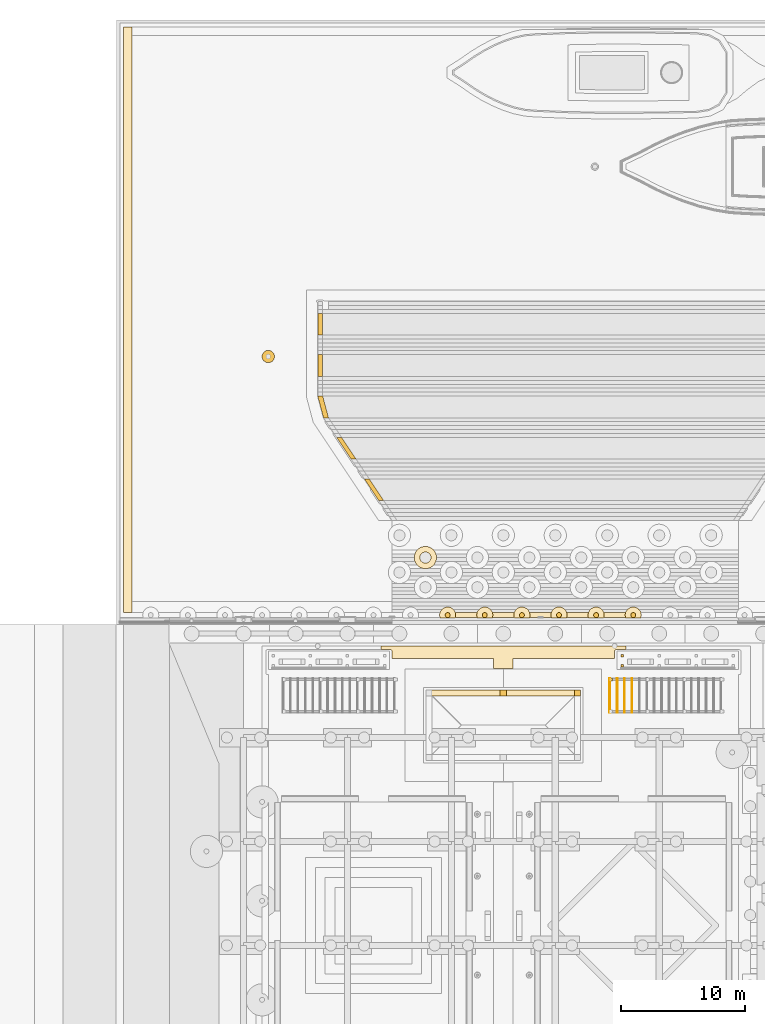
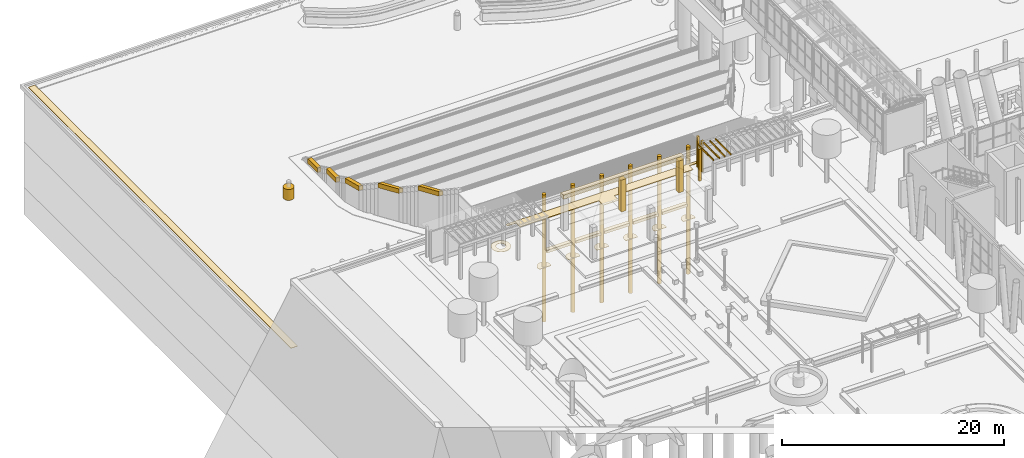
# One storey, part 176 of 222: 36 coverings.
"""IFC4 building model written with IfcOpenShell, lengths in metres."""

from ifc_helpers import new_model, si_unit, direction, frame, origin, origin_2d, place, context, subcontext, project, spatial, polyline, circle, outline, extrude, material, layer, layer_set, type_object, element, save


model = new_model("IFC4")

# Units and contexts
model_context = context("Model", 3, precision=1e-05, world=origin(), true_north=direction((0.0, 1.0)))
body_context = subcontext(model_context, "Body", "Model", "MODEL_VIEW")
ifc_project = project(units=[si_unit("LENGTHUNIT", "METRE"), si_unit("AREAUNIT", "SQUARE_METRE"), si_unit("VOLUMEUNIT", "CUBIC_METRE"), si_unit("PLANEANGLEUNIT", "RADIAN"), si_unit("MASSUNIT", "GRAM", prefix="KILO")], contexts=[model_context])

# Site, building, storey
site_placement = place(None, origin())
site = spatial("IfcSite", under=ifc_project, at=site_placement, CompositionType="ELEMENT")
building_placement = place(site_placement, origin())
building = spatial("IfcBuilding", under=site, at=building_placement, Name="Sava Quay Ferry Terminal", CompositionType="ELEMENT")
storey_placement = place(building_placement, origin())
storey = spatial("IfcBuildingStorey", under=building, at=storey_placement, Name="L00", CompositionType="ELEMENT", Elevation=0.0)

# Coverings
ifc_material_1 = material(Name="Steel painted", Category="steel")
ifc_layer_1 = layer(ifc_material_1, 1.0)
ifc_layer_set_1 = layer_set([ifc_layer_1], Name="Steel painted")
covering_type_1 = type_object("IfcCoveringType", Name="Mooring buoy 1000", PredefinedType="CLADDING", material=ifc_layer_set_1)
covering_1_placement = place(storey_placement, frame((2.0, 140.0, -6.800048828125), z_axis=(0.0, 0.0, -1.0), x_axis=(1.0, 0.0, 0.0)))
element("IfcCovering", 1, at=covering_1_placement, inside=storey, type_object=covering_type_1, Name="Mooring buoy", PredefinedType="CLADDING", context=body_context, shape_type="SweptSolid", body=[
    extrude(circle(Radius=0.5, at=origin_2d()), origin(), (0.0, 0.0, 1.0), 1.199951171875),
])
ifc_material_2 = material(Name="Steel S355", Category="steel")
ifc_layer_2 = layer(ifc_material_2, 0.25)
ifc_layer_set_2 = layer_set([ifc_layer_2], Name="Steel S355")
covering_type_2 = type_object("IfcCoveringType", Name="Promenade pergola post 250", PredefinedType="CLADDING", material=ifc_layer_set_2)
covering_2_placement = place(storey_placement, origin())
element("IfcCovering", 2, at=covering_2_placement, inside=storey, type_object=covering_type_2, Name="Promenade pergola post", PredefinedType="CLADDING", context=body_context, shape_type="SweptSolid", body=[
    extrude(outline(polyline([(29.824951171875, 113.77490234375), (29.824951171875, 114.02490234375), (29.574951171875, 114.02490234375), (29.574951171875, 113.77490234375), (29.824951171875, 113.77490234375)])), origin(), (0.0, 0.0, 1.0), 3.5),
])
ifc_material_3 = material(Name="Glulam GL28h", Category="wood")
ifc_layer_3 = layer(ifc_material_3, 0.06005859375)
ifc_layer_set_3 = layer_set([ifc_layer_3], Name="Glulam GL28h")
covering_type_3 = type_object("IfcCoveringType", Name="Promenade pergola rafter 60x150", PredefinedType="CLADDING", material=ifc_layer_set_3)
covering_3_placement = place(storey_placement, frame((0.0, 0.0, 3.800048828125)))
element("IfcCovering", 3, at=covering_3_placement, inside=storey, type_object=covering_type_3, Name="Promenade pergola rafter", PredefinedType="CLADDING", context=body_context, shape_type="SweptSolid", body=[
    extrude(outline(polyline([(29.635009765625, 111.22509765625), (29.635009765625, 113.97509765625), (29.574951171875, 113.97509765625), (29.574951171875, 111.22509765625), (29.635009765625, 111.22509765625)])), origin(), (0.0, 0.0, 1.0), 0.14990234375),
])
covering_4_placement = place(storey_placement, frame((0.0, 0.0, 3.800048828125)))
element("IfcCovering", 4, at=covering_4_placement, inside=storey, type_object=covering_type_3, Name="Promenade pergola rafter", PredefinedType="CLADDING", context=body_context, shape_type="SweptSolid", body=[
    extrude(outline(polyline([(30.235107421875, 111.22509765625), (30.235107421875, 113.97509765625), (30.175048828125, 113.97509765625), (30.175048828125, 111.22509765625), (30.235107421875, 111.22509765625)])), origin(), (0.0, 0.0, 1.0), 0.14990234375),
])
covering_5_placement = place(storey_placement, frame((0.0, 0.0, 3.800048828125)))
element("IfcCovering", 5, at=covering_5_placement, inside=storey, type_object=covering_type_3, Name="Promenade pergola rafter", PredefinedType="CLADDING", context=body_context, shape_type="SweptSolid", body=[
    extrude(outline(polyline([(30.8349609375, 111.22509765625), (30.8349609375, 113.97509765625), (30.77490234375, 113.97509765625), (30.77490234375, 111.22509765625), (30.8349609375, 111.22509765625)])), origin(), (0.0, 0.0, 1.0), 0.14990234375),
])
covering_6_placement = place(storey_placement, frame((0.0, 0.0, 3.800048828125)))
element("IfcCovering", 6, at=covering_6_placement, inside=storey, type_object=covering_type_3, Name="Promenade pergola rafter", PredefinedType="CLADDING", context=body_context, shape_type="SweptSolid", body=[
    extrude(outline(polyline([(31.43505859375, 111.22509765625), (31.43505859375, 113.97509765625), (31.375, 113.97509765625), (31.375, 111.22509765625), (31.43505859375, 111.22509765625)])), origin(), (0.0, 0.0, 1.0), 0.14990234375),
])
ifc_material_4 = material(Name="Timber", Category="wood")
ifc_layer_4 = layer(ifc_material_4, 0.39990234375)
ifc_layer_set_4 = layer_set([ifc_layer_4], Name="Timber")
covering_type_4 = type_object("IfcCoveringType", Name="Quay fender pile 400", PredefinedType="CLADDING", material=ifc_layer_set_4)
for number, where, z_axis, x_axis, name in (
    (7, (16.5, 119.10009765625, 0.0), (0.0, 0.0, -1.0), (1.0, 0.0, 0.0), "Quay fender pile"),
    (8, (19.5, 119.10009765625, 0.0), (0.0, 0.0, -1.0), (1.0, 0.0, 0.0), "Quay fender pile"),
    (9, (22.5, 119.10009765625, 0.0), (0.0, 0.0, -1.0), (1.0, 0.0, 0.0), "Quay fender pile"),
    (10, (25.5, 119.10009765625, 0.0), (0.0, 0.0, -1.0), (1.0, 0.0, 0.0), "Quay fender pile"),
    (11, (28.5, 119.10009765625, 0.0), (0.0, 0.0, -1.0), (1.0, 0.0, 0.0), "Quay fender pile"),
    (12, (31.5, 119.10009765625, 0.0), (0.0, 0.0, -1.0), (1.0, 0.0, 0.0), "Quay fender pile"),
):
    element("IfcCovering", number, at=place(storey_placement, frame(where, z_axis=z_axis, x_axis=x_axis)), inside=storey, type_object=covering_type_4, Name=name, PredefinedType="CLADDING", context=body_context, shape_type="SweptSolid", body=[
        extrude(circle(Radius=0.199951171875, at=origin_2d()), origin(), (0.0, 0.0, 1.0), 14.0),
    ])
ifc_material_5 = material(Name="Timber", Category="wood")
ifc_layer_5 = layer(ifc_material_5, 0.39990234375)
ifc_layer_set_5 = layer_set([ifc_layer_5], Name="Timber")
covering_type_5 = type_object("IfcCoveringType", Name="Quay fender waling", PredefinedType="MOLDING", material=ifc_layer_set_5)
covering_7_placement = place(storey_placement, frame((0.0, 0.0, -6.5)))
element("IfcCovering", 13, at=covering_7_placement, inside=storey, type_object=covering_type_5, Name="Quay fender waling", PredefinedType="MOLDING", context=body_context, shape_type="SweptSolid", body=[
    extrude(outline(polyline([(19.300048828125, 118.89990234375), (19.300048828125, 119.300048828125), (16.699951171875, 119.300048828125), (16.699951171875, 118.89990234375), (19.300048828125, 118.89990234375)])), origin(), (0.0, 0.0, 1.0), 0.300048828125),
])
covering_8_placement = place(storey_placement, frame((0.0, 0.0, -6.5)))
element("IfcCovering", 14, at=covering_8_placement, inside=storey, type_object=covering_type_5, Name="Quay fender waling", PredefinedType="MOLDING", context=body_context, shape_type="SweptSolid", body=[
    extrude(outline(polyline([(22.300048828125, 118.89990234375), (22.300048828125, 119.300048828125), (19.699951171875, 119.300048828125), (19.699951171875, 118.89990234375), (22.300048828125, 118.89990234375)])), origin(), (0.0, 0.0, 1.0), 0.300048828125),
])
covering_9_placement = place(storey_placement, frame((0.0, 0.0, -6.5)))
element("IfcCovering", 15, at=covering_9_placement, inside=storey, type_object=covering_type_5, Name="Quay fender waling", PredefinedType="MOLDING", context=body_context, shape_type="SweptSolid", body=[
    extrude(outline(polyline([(25.300048828125, 118.89990234375), (25.300048828125, 119.300048828125), (22.699951171875, 119.300048828125), (22.699951171875, 118.89990234375), (25.300048828125, 118.89990234375)])), origin(), (0.0, 0.0, 1.0), 0.300048828125),
])
covering_10_placement = place(storey_placement, frame((0.0, 0.0, -6.5)))
element("IfcCovering", 16, at=covering_10_placement, inside=storey, type_object=covering_type_5, Name="Quay fender waling", PredefinedType="MOLDING", context=body_context, shape_type="SweptSolid", body=[
    extrude(outline(polyline([(28.300048828125, 118.89990234375), (28.300048828125, 119.300048828125), (25.699951171875, 119.300048828125), (25.699951171875, 118.89990234375), (28.300048828125, 118.89990234375)])), origin(), (0.0, 0.0, 1.0), 0.300048828125),
])
covering_11_placement = place(storey_placement, frame((0.0, 0.0, -6.5)))
element("IfcCovering", 17, at=covering_11_placement, inside=storey, type_object=covering_type_5, Name="Quay fender waling", PredefinedType="MOLDING", context=body_context, shape_type="SweptSolid", body=[
    extrude(outline(polyline([(31.300048828125, 118.89990234375), (31.300048828125, 119.300048828125), (28.699951171875, 119.300048828125), (28.699951171875, 118.89990234375), (31.300048828125, 118.89990234375)])), origin(), (0.0, 0.0, 1.0), 0.300048828125),
])
ifc_material_6 = material(Name="Water")
ifc_layer_6 = layer(ifc_material_6, 0.0400390625)
ifc_layer_set_6 = layer_set([ifc_layer_6], Name="Water")
covering_type_6 = type_object("IfcCoveringType", Name="River foam collar", PredefinedType="CLADDING", material=ifc_layer_set_6)
covering_12_placement = place(storey_placement, frame((0.0, 0.0, -8.0)))
element("IfcCovering", 18, at=covering_12_placement, inside=storey, type_object=covering_type_6, Name="River foam collar", PredefinedType="CLADDING", context=body_context, shape_type="SweptSolid", body=[
    extrude(outline(polyline([(15.533935546875, 124.094970703125), (15.449951171875, 124.2509765625), (15.337890625, 124.387939453125), (15.200927734375, 124.5), (15.044921875, 124.583984375), (14.8759765625, 124.635009765625), (14.699951171875, 124.652099609375), (14.52392578125, 124.635009765625), (14.35498046875, 124.583984375), (14.198974609375, 124.5), (14.06201171875, 124.387939453125), (13.949951171875, 124.2509765625), (13.865966796875, 124.094970703125), (13.81494140625, 123.926025390625), (13.798095703125, 123.75), (13.81494140625, 123.573974609375), (13.865966796875, 123.405029296875), (13.949951171875, 123.2490234375), (14.06201171875, 123.112060546875), (14.198974609375, 123.0), (14.35498046875, 122.916015625), (14.52392578125, 122.864990234375), (14.699951171875, 122.847900390625), (14.8759765625, 122.864990234375), (15.044921875, 122.916015625), (15.200927734375, 123.0), (15.337890625, 123.112060546875), (15.449951171875, 123.2490234375), (15.533935546875, 123.405029296875), (15.5849609375, 123.573974609375), (15.60205078125, 123.75), (15.5849609375, 123.926025390625), (15.533935546875, 124.094970703125)]), holes=[polyline([(15.115966796875, 123.577880859375), (15.073974609375, 123.5), (15.01806640625, 123.431884765625), (14.949951171875, 123.3759765625), (14.8720703125, 123.333984375), (14.7880859375, 123.30908203125), (14.699951171875, 123.300048828125), (14.612060546875, 123.30908203125), (14.528076171875, 123.333984375), (14.449951171875, 123.3759765625), (14.382080078125, 123.431884765625), (14.325927734375, 123.5), (14.283935546875, 123.577880859375), (14.259033203125, 123.662109375), (14.25, 123.75), (14.259033203125, 123.837890625), (14.283935546875, 123.922119140625), (14.325927734375, 124.0), (14.382080078125, 124.068115234375), (14.449951171875, 124.1240234375), (14.528076171875, 124.166015625), (14.612060546875, 124.19091796875), (14.699951171875, 124.199951171875), (14.7880859375, 124.19091796875), (14.8720703125, 124.166015625), (14.949951171875, 124.1240234375), (15.01806640625, 124.068115234375), (15.073974609375, 124.0), (15.115966796875, 123.922119140625), (15.14111328125, 123.837890625), (15.14990234375, 123.75), (15.14111328125, 123.662109375), (15.115966796875, 123.577880859375)])]), origin(), (0.0, 0.0, 1.0), 0.0400390625),
])
covering_13_placement = place(storey_placement, frame((0.0, 0.0, -8.0)))
element("IfcCovering", 19, at=covering_13_placement, inside=storey, type_object=covering_type_6, Name="River foam collar", PredefinedType="CLADDING", context=body_context, shape_type="SweptSolid", body=[
    extrude(outline(polyline([(15.860107421875, 119.22705078125), (15.847900390625, 119.10009765625), (15.860107421875, 118.972900390625), (15.89794921875, 118.85009765625), (17.10205078125, 118.85009765625), (17.139892578125, 118.972900390625), (17.152099609375, 119.10009765625), (17.139892578125, 119.22705078125), (17.10302734375, 119.35009765625), (17.0419921875, 119.4619140625), (16.9609375, 119.56103515625), (16.862060546875, 119.64208984375), (16.75, 119.702880859375), (16.626953125, 119.739990234375), (16.5, 119.751953125), (16.373046875, 119.739990234375), (16.25, 119.702880859375), (16.137939453125, 119.64208984375), (16.0390625, 119.56103515625), (15.9580078125, 119.4619140625), (15.89697265625, 119.35009765625), (15.860107421875, 119.22705078125)]), holes=[polyline([(16.64111328125, 119.240966796875), (16.666015625, 119.2109375), (16.68505859375, 119.177001953125), (16.696044921875, 119.138916015625), (16.699951171875, 119.10009765625), (16.696044921875, 119.06103515625), (16.68505859375, 119.02294921875), (16.666015625, 118.989013671875), (16.64111328125, 118.958984375), (16.611083984375, 118.93408203125), (16.576904296875, 118.9150390625), (16.5390625, 118.904052734375), (16.5, 118.89990234375), (16.4609375, 118.904052734375), (16.423095703125, 118.9150390625), (16.388916015625, 118.93408203125), (16.35888671875, 118.958984375), (16.333984375, 118.989013671875), (16.31494140625, 119.02294921875), (16.303955078125, 119.06103515625), (16.300048828125, 119.10009765625), (16.303955078125, 119.138916015625), (16.31494140625, 119.177001953125), (16.333984375, 119.2109375), (16.35888671875, 119.240966796875), (16.388916015625, 119.26611328125), (16.423095703125, 119.284912109375), (16.4609375, 119.2958984375), (16.5, 119.300048828125), (16.5390625, 119.2958984375), (16.576904296875, 119.284912109375), (16.611083984375, 119.26611328125), (16.64111328125, 119.240966796875)])]), origin(), (0.0, 0.0, 1.0), 0.0400390625),
])
covering_14_placement = place(storey_placement, frame((0.0, 0.0, -8.0)))
element("IfcCovering", 20, at=covering_14_placement, inside=storey, type_object=covering_type_6, Name="River foam collar", PredefinedType="CLADDING", context=body_context, shape_type="SweptSolid", body=[
    extrude(outline(polyline([(18.89697265625, 119.35009765625), (18.860107421875, 119.22705078125), (18.847900390625, 119.10009765625), (18.860107421875, 118.972900390625), (18.89794921875, 118.85009765625), (20.10302734375, 118.85009765625), (20.139892578125, 118.972900390625), (20.152099609375, 119.10009765625), (20.139892578125, 119.22705078125), (20.10302734375, 119.35009765625), (20.0419921875, 119.4619140625), (19.9609375, 119.56103515625), (19.862060546875, 119.64208984375), (19.75, 119.702880859375), (19.626953125, 119.739990234375), (19.5, 119.751953125), (19.373046875, 119.739990234375), (19.25, 119.702880859375), (19.137939453125, 119.64208984375), (19.0390625, 119.56103515625), (18.9580078125, 119.4619140625), (18.89697265625, 119.35009765625)]), holes=[polyline([(19.611083984375, 119.26611328125), (19.64111328125, 119.240966796875), (19.666015625, 119.2109375), (19.68505859375, 119.177001953125), (19.696044921875, 119.138916015625), (19.699951171875, 119.10009765625), (19.696044921875, 119.06103515625), (19.68505859375, 119.02294921875), (19.666015625, 118.989013671875), (19.64111328125, 118.958984375), (19.611083984375, 118.93408203125), (19.576904296875, 118.9150390625), (19.5390625, 118.904052734375), (19.5, 118.89990234375), (19.4609375, 118.904052734375), (19.423095703125, 118.9150390625), (19.388916015625, 118.93408203125), (19.35888671875, 118.958984375), (19.333984375, 118.989013671875), (19.31494140625, 119.02294921875), (19.303955078125, 119.06103515625), (19.300048828125, 119.10009765625), (19.303955078125, 119.138916015625), (19.31494140625, 119.177001953125), (19.333984375, 119.2109375), (19.35888671875, 119.240966796875), (19.388916015625, 119.26611328125), (19.423095703125, 119.284912109375), (19.4609375, 119.2958984375), (19.5, 119.300048828125), (19.5390625, 119.2958984375), (19.576904296875, 119.284912109375), (19.611083984375, 119.26611328125)])]), origin(), (0.0, 0.0, 1.0), 0.0400390625),
])
covering_15_placement = place(storey_placement, frame((0.0, 0.0, -8.0)))
element("IfcCovering", 21, at=covering_15_placement, inside=storey, type_object=covering_type_6, Name="River foam collar", PredefinedType="CLADDING", context=body_context, shape_type="SweptSolid", body=[
    extrude(outline(polyline([(21.9580078125, 119.4619140625), (21.89697265625, 119.35009765625), (21.860107421875, 119.22705078125), (21.847900390625, 119.10009765625), (21.860107421875, 118.972900390625), (21.89794921875, 118.85009765625), (23.10205078125, 118.85009765625), (23.139892578125, 118.972900390625), (23.152099609375, 119.10009765625), (23.139892578125, 119.22705078125), (23.10302734375, 119.35009765625), (23.0419921875, 119.4619140625), (22.9609375, 119.56103515625), (22.862060546875, 119.64208984375), (22.75, 119.702880859375), (22.626953125, 119.739990234375), (22.5, 119.751953125), (22.373046875, 119.739990234375), (22.25, 119.702880859375), (22.137939453125, 119.64208984375), (22.0390625, 119.56103515625), (21.9580078125, 119.4619140625)]), holes=[polyline([(22.576904296875, 119.284912109375), (22.611083984375, 119.26611328125), (22.64111328125, 119.240966796875), (22.666015625, 119.2109375), (22.68505859375, 119.177001953125), (22.696044921875, 119.138916015625), (22.699951171875, 119.10009765625), (22.696044921875, 119.06103515625), (22.68505859375, 119.02294921875), (22.666015625, 118.989013671875), (22.64111328125, 118.958984375), (22.611083984375, 118.93408203125), (22.576904296875, 118.9150390625), (22.5390625, 118.904052734375), (22.5, 118.89990234375), (22.4609375, 118.904052734375), (22.423095703125, 118.9150390625), (22.388916015625, 118.93408203125), (22.35888671875, 118.958984375), (22.333984375, 118.989013671875), (22.31494140625, 119.02294921875), (22.303955078125, 119.06103515625), (22.300048828125, 119.10009765625), (22.303955078125, 119.138916015625), (22.31494140625, 119.177001953125), (22.333984375, 119.2109375), (22.35888671875, 119.240966796875), (22.388916015625, 119.26611328125), (22.423095703125, 119.284912109375), (22.4609375, 119.2958984375), (22.5, 119.300048828125), (22.5390625, 119.2958984375), (22.576904296875, 119.284912109375)])]), origin(), (0.0, 0.0, 1.0), 0.0400390625),
])
covering_16_placement = place(storey_placement, frame((0.0, 0.0, -8.0)))
element("IfcCovering", 22, at=covering_16_placement, inside=storey, type_object=covering_type_6, Name="River foam collar", PredefinedType="CLADDING", context=body_context, shape_type="SweptSolid", body=[
    extrude(outline(polyline([(25.0390625, 119.56103515625), (24.9580078125, 119.4619140625), (24.89697265625, 119.35009765625), (24.860107421875, 119.22705078125), (24.847900390625, 119.10009765625), (24.860107421875, 118.972900390625), (24.89794921875, 118.85009765625), (26.10205078125, 118.85009765625), (26.139892578125, 118.972900390625), (26.152099609375, 119.10009765625), (26.139892578125, 119.22705078125), (26.10302734375, 119.35009765625), (26.0419921875, 119.4619140625), (25.9609375, 119.56103515625), (25.862060546875, 119.64208984375), (25.75, 119.702880859375), (25.626953125, 119.739990234375), (25.5, 119.751953125), (25.373046875, 119.739990234375), (25.25, 119.702880859375), (25.137939453125, 119.64208984375), (25.0390625, 119.56103515625)]), holes=[polyline([(25.5390625, 119.2958984375), (25.576904296875, 119.284912109375), (25.611083984375, 119.26611328125), (25.64111328125, 119.240966796875), (25.666015625, 119.2109375), (25.68505859375, 119.177001953125), (25.696044921875, 119.138916015625), (25.699951171875, 119.10009765625), (25.696044921875, 119.06103515625), (25.68505859375, 119.02294921875), (25.666015625, 118.989013671875), (25.64111328125, 118.958984375), (25.611083984375, 118.93408203125), (25.576904296875, 118.9150390625), (25.5390625, 118.904052734375), (25.5, 118.89990234375), (25.4609375, 118.904052734375), (25.423095703125, 118.9150390625), (25.388916015625, 118.93408203125), (25.35888671875, 118.958984375), (25.333984375, 118.989013671875), (25.31494140625, 119.02294921875), (25.303955078125, 119.06103515625), (25.300048828125, 119.10009765625), (25.303955078125, 119.138916015625), (25.31494140625, 119.177001953125), (25.333984375, 119.2109375), (25.35888671875, 119.240966796875), (25.388916015625, 119.26611328125), (25.423095703125, 119.284912109375), (25.4609375, 119.2958984375), (25.5, 119.300048828125), (25.5390625, 119.2958984375)])]), origin(), (0.0, 0.0, 1.0), 0.0400390625),
])
covering_17_placement = place(storey_placement, frame((0.0, 0.0, -8.0)))
element("IfcCovering", 23, at=covering_17_placement, inside=storey, type_object=covering_type_6, Name="River foam collar", PredefinedType="CLADDING", context=body_context, shape_type="SweptSolid", body=[
    extrude(outline(polyline([(28.137939453125, 119.64208984375), (28.0390625, 119.56103515625), (27.9580078125, 119.4619140625), (27.89697265625, 119.35009765625), (27.860107421875, 119.22705078125), (27.847900390625, 119.10009765625), (27.860107421875, 118.972900390625), (27.89794921875, 118.85009765625), (29.10205078125, 118.85009765625), (29.139892578125, 118.972900390625), (29.152099609375, 119.10009765625), (29.139892578125, 119.22705078125), (29.10302734375, 119.35009765625), (29.0419921875, 119.4619140625), (28.9609375, 119.56103515625), (28.862060546875, 119.64208984375), (28.75, 119.702880859375), (28.626953125, 119.739990234375), (28.5, 119.751953125), (28.373046875, 119.739990234375), (28.25, 119.702880859375), (28.137939453125, 119.64208984375)]), holes=[polyline([(28.5, 119.300048828125), (28.5390625, 119.2958984375), (28.576904296875, 119.284912109375), (28.611083984375, 119.26611328125), (28.64111328125, 119.240966796875), (28.666015625, 119.2109375), (28.68505859375, 119.177001953125), (28.696044921875, 119.138916015625), (28.699951171875, 119.10009765625), (28.696044921875, 119.06103515625), (28.68505859375, 119.02294921875), (28.666015625, 118.989013671875), (28.64111328125, 118.958984375), (28.611083984375, 118.93408203125), (28.576904296875, 118.9150390625), (28.5390625, 118.904052734375), (28.5, 118.89990234375), (28.4609375, 118.904052734375), (28.423095703125, 118.9150390625), (28.388916015625, 118.93408203125), (28.35888671875, 118.958984375), (28.333984375, 118.989013671875), (28.31494140625, 119.02294921875), (28.303955078125, 119.06103515625), (28.300048828125, 119.10009765625), (28.303955078125, 119.138916015625), (28.31494140625, 119.177001953125), (28.333984375, 119.2109375), (28.35888671875, 119.240966796875), (28.388916015625, 119.26611328125), (28.423095703125, 119.284912109375), (28.4609375, 119.2958984375), (28.5, 119.300048828125)])]), origin(), (0.0, 0.0, 1.0), 0.0400390625),
])
covering_18_placement = place(storey_placement, frame((0.0, 0.0, -8.0)))
element("IfcCovering", 24, at=covering_18_placement, inside=storey, type_object=covering_type_6, Name="River foam collar", PredefinedType="CLADDING", context=body_context, shape_type="SweptSolid", body=[
    extrude(outline(polyline([(31.25, 119.702880859375), (31.137939453125, 119.64208984375), (31.0390625, 119.56103515625), (30.9580078125, 119.4619140625), (30.89697265625, 119.35009765625), (30.860107421875, 119.22705078125), (30.847900390625, 119.10009765625), (30.860107421875, 118.972900390625), (30.89794921875, 118.85009765625), (32.10205078125, 118.85009765625), (32.139892578125, 118.972900390625), (32.152099609375, 119.10009765625), (32.139892578125, 119.22705078125), (32.10302734375, 119.35009765625), (32.0419921875, 119.4619140625), (31.9609375, 119.56103515625), (31.862060546875, 119.64208984375), (31.75, 119.702880859375), (31.626953125, 119.739990234375), (31.5, 119.751953125), (31.373046875, 119.739990234375), (31.25, 119.702880859375)]), holes=[polyline([(31.4609375, 119.2958984375), (31.5, 119.300048828125), (31.5390625, 119.2958984375), (31.576904296875, 119.284912109375), (31.611083984375, 119.26611328125), (31.64111328125, 119.240966796875), (31.666015625, 119.2109375), (31.68505859375, 119.177001953125), (31.696044921875, 119.138916015625), (31.699951171875, 119.10009765625), (31.696044921875, 119.06103515625), (31.68505859375, 119.02294921875), (31.666015625, 118.989013671875), (31.64111328125, 118.958984375), (31.611083984375, 118.93408203125), (31.576904296875, 118.9150390625), (31.5390625, 118.904052734375), (31.5, 118.89990234375), (31.4609375, 118.904052734375), (31.423095703125, 118.9150390625), (31.388916015625, 118.93408203125), (31.35888671875, 118.958984375), (31.333984375, 118.989013671875), (31.31494140625, 119.02294921875), (31.303955078125, 119.06103515625), (31.300048828125, 119.10009765625), (31.303955078125, 119.138916015625), (31.31494140625, 119.177001953125), (31.333984375, 119.2109375), (31.35888671875, 119.240966796875), (31.388916015625, 119.26611328125), (31.423095703125, 119.284912109375), (31.4609375, 119.2958984375)])]), origin(), (0.0, 0.0, 1.0), 0.0400390625),
])
ifc_material_7 = material(Name="Water")
ifc_layer_7 = layer(ifc_material_7, 0.050048828125)
ifc_layer_set_7 = layer_set([ifc_layer_7], Name="Water")
covering_type_7 = type_object("IfcCoveringType", Name="River foam line", PredefinedType="CLADDING", material=ifc_layer_set_7)
covering_19_placement = place(storey_placement, frame((0.0, 0.0, -8.0)))
element("IfcCovering", 25, at=covering_19_placement, inside=storey, type_object=covering_type_7, Name="River foam line", PredefinedType="CLADDING", context=body_context, shape_type="SweptSolid", body=[
    extrude(outline(polyline([(-9.699951171875, 166.655029296875), (-9.699951171875, 119.300048828125), (-9.02001953125, 119.300048828125), (-9.02001953125, 120.199951171875), (-9.01806640625, 120.2080078125), (-9.013916015625, 120.214111328125), (-9.008056640625, 120.218017578125), (-9.0, 120.219970703125), (-9.0, 165.93505859375), (-9.008056640625, 165.93701171875), (-9.013916015625, 165.94091796875), (-9.01806640625, 165.947021484375), (-9.02001953125, 165.955078125), (-9.02001953125, 166.655029296875), (-9.699951171875, 166.655029296875)])), origin(), (0.0, 0.0, 1.0), 0.050048828125),
])
ifc_material_8 = material(Name="Limestone Mutalj", Category="masonry")
ifc_layer_8 = layer(ifc_material_8, 0.050048828125)
ifc_layer_set_8 = layer_set([ifc_layer_8], Name="Limestone Mutalj")
covering_type_8 = type_object("IfcCoveringType", Name="Stone paving band 50", PredefinedType="FLOORING", material=ifc_layer_set_8)
covering_20_placement = place(storey_placement, origin())
element("IfcCovering", 26, at=covering_20_placement, inside=storey, type_object=covering_type_8, Name="Stone paving band", PredefinedType="FLOORING", context=body_context, shape_type="SweptSolid", body=[
    extrude(outline(polyline([(12.0, 116.199951171875), (12.0, 115.60009765625), (20.199951171875, 115.60009765625), (20.199951171875, 114.800048828125), (21.800048828125, 114.800048828125), (21.800048828125, 115.60009765625), (30.0, 115.60009765625), (30.0, 116.199951171875), (30.00390625, 116.22900390625), (30.011962890625, 116.2470703125), (30.02294921875, 116.262939453125), (30.0439453125, 116.282958984375), (30.06201171875, 116.2919921875), (30.080078125, 116.298095703125), (30.10009765625, 116.300048828125), (30.89990234375, 116.300048828125), (30.89990234375, 116.60009765625), (11.10009765625, 116.60009765625), (11.10009765625, 116.300048828125), (11.89990234375, 116.300048828125), (11.919921875, 116.298095703125), (11.93798828125, 116.2919921875), (11.9560546875, 116.282958984375), (11.97705078125, 116.262939453125), (11.988037109375, 116.2470703125), (11.99609375, 116.22900390625), (12.0, 116.199951171875)])), origin(), (0.0, 0.0, 1.0), 0.050048828125),
])
ifc_material_9 = material(Name="Limestone Mutalj", Category="masonry")
ifc_layer_9 = layer(ifc_material_9, 0.5)
ifc_layer_set_9 = layer_set([ifc_layer_9], Name="Limestone Mutalj")
covering_type_9 = type_object("IfcCoveringType", Name="Terrace pavilion architrave 450", PredefinedType="MOLDING", material=ifc_layer_set_9)
covering_21_placement = place(storey_placement, frame((0.0, 0.0, 3.949951171875)))
element("IfcCovering", 27, at=covering_21_placement, inside=storey, type_object=covering_type_9, Name="Pavilion architrave", PredefinedType="MOLDING", context=body_context, shape_type="SweptSolid", body=[
    extrude(outline(polyline([(27.25, 112.550048828125), (27.25, 113.050048828125), (14.75, 113.050048828125), (14.75, 112.550048828125), (27.25, 112.550048828125)])), origin(), (0.0, 0.0, 1.0), 0.449951171875),
])
ifc_material_10 = material(Name="Limestone Mutalj", Category="masonry")
ifc_layer_10 = layer(ifc_material_10, 0.5)
ifc_layer_set_10 = layer_set([ifc_layer_10], Name="Limestone Mutalj")
covering_type_10 = type_object("IfcCoveringType", Name="Terrace pavilion pier 500", PredefinedType="CLADDING", material=ifc_layer_set_10)
covering_22_placement = place(storey_placement, frame((0.0, 0.0, 0.449951171875)))
element("IfcCovering", 28, at=covering_22_placement, inside=storey, type_object=covering_type_10, Name="Pavilion pier", PredefinedType="CLADDING", context=body_context, shape_type="SweptSolid", body=[
    extrude(outline(polyline([(21.25, 112.550048828125), (21.25, 113.050048828125), (20.75, 113.050048828125), (20.75, 112.550048828125), (21.25, 112.550048828125)])), origin(), (0.0, 0.0, 1.0), 3.5),
])
covering_23_placement = place(storey_placement, frame((0.0, 0.0, 0.449951171875)))
element("IfcCovering", 29, at=covering_23_placement, inside=storey, type_object=covering_type_10, Name="Pavilion pier", PredefinedType="CLADDING", context=body_context, shape_type="SweptSolid", body=[
    extrude(outline(polyline([(27.25, 112.550048828125), (27.25, 113.050048828125), (26.75, 113.050048828125), (26.75, 112.550048828125), (27.25, 112.550048828125)])), origin(), (0.0, 0.0, 1.0), 3.5),
])
ifc_material_11 = material(Name="Steel S355", Category="steel")
ifc_layer_11 = layer(ifc_material_11, 0.199951171875)
ifc_layer_set_11 = layer_set([ifc_layer_11], Name="Steel S355")
covering_type_11 = type_object("IfcCoveringType", Name="Waiting shelter column 200", PredefinedType="CLADDING", material=ifc_layer_set_11)
covering_24_placement = place(storey_placement, origin())
element("IfcCovering", 30, at=covering_24_placement, inside=storey, type_object=covering_type_11, Name="Waiting shelter column", PredefinedType="CLADDING", context=body_context, shape_type="SweptSolid", body=[
    extrude(outline(polyline([(30.699951171875, 114.89990234375), (30.699951171875, 115.10009765625), (30.5, 115.10009765625), (30.5, 114.89990234375), (30.699951171875, 114.89990234375)])), origin(), (0.0, 0.0, 1.0), 3.39990234375),
])
covering_25_placement = place(storey_placement, origin())
element("IfcCovering", 31, at=covering_25_placement, inside=storey, type_object=covering_type_11, Name="Waiting shelter column", PredefinedType="CLADDING", context=body_context, shape_type="SweptSolid", body=[
    extrude(outline(polyline([(30.699951171875, 115.699951171875), (30.699951171875, 115.89990234375), (30.5, 115.89990234375), (30.5, 115.699951171875), (30.699951171875, 115.699951171875)])), origin(), (0.0, 0.0, 1.0), 3.39990234375),
])
ifc_material_12 = material(Name="Limestone ashlar", Category="masonry")
ifc_layer_12 = layer(ifc_material_12, 0.39990234375)
ifc_layer_set_12 = layer_set([ifc_layer_12], Name="Limestone ashlar")
covering_type_12 = type_object("IfcCoveringType", Name="Wet stair cheek wall 400", PredefinedType="CLADDING", material=ifc_layer_set_12)
covering_26_placement = place(storey_placement, frame((0.0, 0.0, -3.95458984375)))
element("IfcCovering", 32, at=covering_26_placement, inside=storey, type_object=covering_type_12, Name="Wet stair cheek wall", PredefinedType="CLADDING", context=body_context, shape_type="SweptSolid", body=[
    extrude(outline(polyline([(10.93310546875, 128.35009765625), (11.3330078125, 128.35009765625), (10.1669921875, 130.10009765625), (9.76708984375, 130.10009765625), (10.93310546875, 128.35009765625)])), origin(), (0.0, 0.0, 1.0), 0.5),
])
covering_27_placement = place(storey_placement, frame((0.0, 0.0, -4.9091796875)))
element("IfcCovering", 33, at=covering_27_placement, inside=storey, type_object=covering_type_12, Name="Wet stair cheek wall", PredefinedType="CLADDING", context=body_context, shape_type="SweptSolid", body=[
    extrude(outline(polyline([(8.699951171875, 131.699951171875), (9.10009765625, 131.699951171875), (7.93310546875, 133.449951171875), (7.532958984375, 133.449951171875), (8.699951171875, 131.699951171875)])), origin(), (0.0, 0.0, 1.0), 0.5),
])
covering_28_placement = place(storey_placement, frame((0.0, 0.0, -5.863525390625)))
element("IfcCovering", 34, at=covering_28_placement, inside=storey, type_object=covering_type_12, Name="Wet stair cheek wall", PredefinedType="CLADDING", context=body_context, shape_type="SweptSolid", body=[
    extrude(outline(polyline([(6.467041015625, 135.050048828125), (6.866943359375, 135.050048828125), (6.39990234375, 136.800048828125), (6.0, 136.800048828125), (6.467041015625, 135.050048828125)])), origin(), (0.0, 0.0, 1.0), 0.5),
])
covering_29_placement = place(storey_placement, frame((0.0, 0.0, -6.818115234375)))
element("IfcCovering", 35, at=covering_29_placement, inside=storey, type_object=covering_type_12, Name="Wet stair cheek wall", PredefinedType="CLADDING", context=body_context, shape_type="SweptSolid", body=[
    extrude(outline(polyline([(6.0, 138.39990234375), (6.39990234375, 138.39990234375), (6.39990234375, 140.14990234375), (6.0, 140.14990234375), (6.0, 138.39990234375)])), origin(), (0.0, 0.0, 1.0), 0.5),
])
covering_30_placement = place(storey_placement, frame((0.0, 0.0, -7.772705078125)))
element("IfcCovering", 36, at=covering_30_placement, inside=storey, type_object=covering_type_12, Name="Wet stair cheek wall", PredefinedType="CLADDING", context=body_context, shape_type="SweptSolid", body=[
    extrude(outline(polyline([(6.0, 141.75), (6.39990234375, 141.75), (6.39990234375, 143.5), (6.0, 143.5), (6.0, 141.75)])), origin(), (0.0, 0.0, 1.0), 0.5),
])

save(model, "model.ifc")
